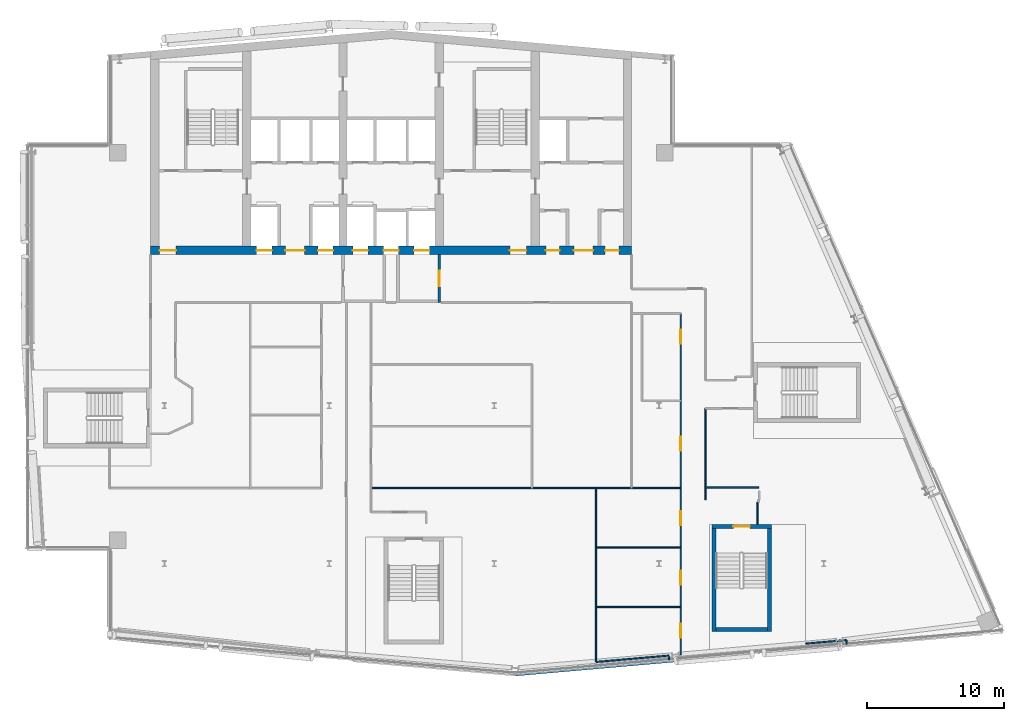
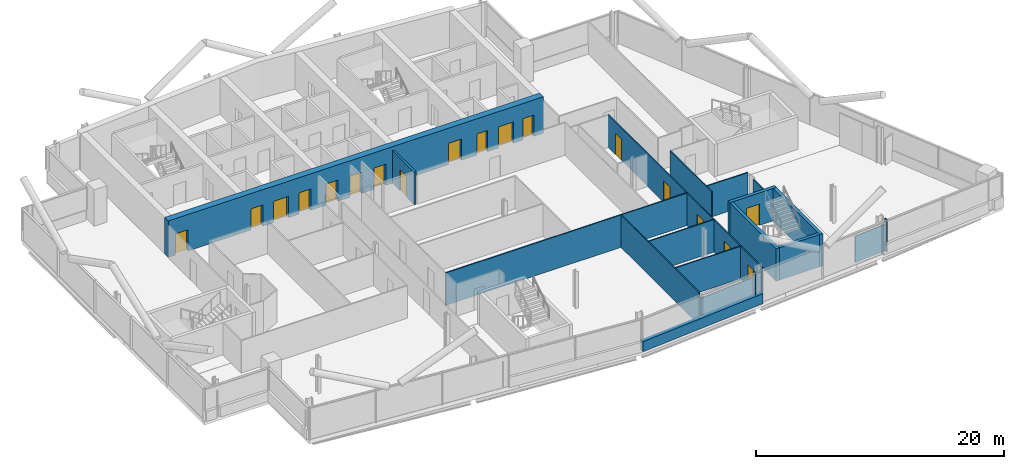
# One storey, part 16 of 27: 19 walls, 18 doors, 18 openings.
"""IFC4 building model written with IfcOpenShell, lengths in metres."""

from ifc_helpers import new_model, si_unit, direction, frame, frame_2d, origin, place, context, subcontext, project, spatial, rectangle, extrude, material, layer, layer_set, type_object, element, fill, save


model = new_model("IFC4")

# Units and contexts
model_context = context("Model", 3, precision=1e-05, world=origin(), true_north=direction((0.0, 1.0)))
body_context = subcontext(model_context, "Body", "Model", "MODEL_VIEW")
ifc_project = project(units=[si_unit("LENGTHUNIT", "METRE"), si_unit("AREAUNIT", "SQUARE_METRE"), si_unit("VOLUMEUNIT", "CUBIC_METRE"), si_unit("PLANEANGLEUNIT", "RADIAN"), si_unit("MASSUNIT", "GRAM", prefix="KILO")], contexts=[model_context])

# Site, building, storey
site_placement = place(None, origin())
site = spatial("IfcSite", under=ifc_project, at=site_placement, CompositionType="ELEMENT")
building_placement = place(site_placement, origin())
building = spatial("IfcBuilding", under=site, at=building_placement, Name="Wharfspan Tower", CompositionType="ELEMENT")
storey_placement = place(building_placement, frame((0.0, 0.0, 221.5)))
storey = spatial("IfcBuildingStorey", under=building, at=storey_placement, Name="L55", CompositionType="ELEMENT", Elevation=221.5)

# Walls
ifc_material_1 = material(Name="Gypsum board on steel studs", Category="steel")
ifc_layer_1 = layer(ifc_material_1, 0.100098)
ifc_layer_set_1 = layer_set([ifc_layer_1], Name="Gypsum board on steel studs")
wall_type_1 = type_object("IfcWallType", Name="Compartment wall 100 EI 60", PredefinedType="PARTITIONING", material=ifc_layer_set_1)
wall_1_placement = place(storey_placement, frame((39.040039, 17.0, 0.0), z_axis=(0.0, 0.0, 1.0), x_axis=(1.0, 0.0, 0.0)))
element("IfcWall", 1, at=wall_1_placement, inside=storey, type_object=wall_type_1, Name="Partition L55.w022", PredefinedType="PARTITIONING", context=body_context, shape_type="SweptSolid", body=[
    extrude(rectangle(XDim=22.540039, YDim=0.100098, at=frame_2d((11.27002, 0.0))), origin(), (0.0, 0.0, 1.0), 3.199951),
])
for number, where, z_axis, x_axis, name in (
    (2, (55.419922, 8.340088, 0.0), (0.0, 0.0, 1.0), (1.0, 0.0, 0.0), "Partition L55.w030"),
    (3, (55.419922, 12.669922, 0.0), (0.0, 0.0, 1.0), (1.0, 0.0, 0.0), "Partition L55.w031"),
):
    element("IfcWall", number, at=place(storey_placement, frame(where, z_axis=z_axis, x_axis=x_axis)), inside=storey, type_object=wall_type_1, Name=name, PredefinedType="PARTITIONING", context=body_context, shape_type="SweptSolid", body=[
        extrude(rectangle(XDim=6.160156, YDim=0.100098, at=frame_2d((3.080078, 0.0))), origin(), (0.0, 0.0, 1.0), 3.199951),
    ])

# Wall, openings, doors
wall_2_placement = place(storey_placement, frame((61.580078, 4.879883, 0.0), z_axis=(0.0, 0.0, 1.0), x_axis=(0.0, 1.0, 0.0)))
wall_2 = element("IfcWall", 4, at=wall_2_placement, inside=storey, type_object=wall_type_1, Name="Partition L55.w040", PredefinedType="PARTITIONING", context=body_context, shape_type="SweptSolid", body=[
    extrude(rectangle(XDim=24.820068, YDim=0.100098, at=frame_2d((12.410156, 0.0))), origin(), (0.0, 0.0, 1.0), 3.199951),
])
opening_1_placement = place(wall_2_placement, frame((1.23999, 0.0, 0.0)))
opening_1 = element("IfcOpeningElement", 5, at=opening_1_placement, cuts=wall_2, Name="Opening D3-01", PredefinedType="OPENING", context=body_context, shape_type="SweptSolid", body=[
    extrude(rectangle(XDim=1.0, YDim=2.100098, at=frame_2d((0.5, 1.050049))), frame((0.0, 0.060059, 0.0), z_axis=(0.0, -1.0, 0.0), x_axis=(1.0, 0.0, 0.0)), (0.0, 0.0, 1.0), 0.120117),
])
opening_2_placement = place(wall_2_placement, frame((5.090088, 0.0, 0.0)))
opening_2 = element("IfcOpeningElement", 6, at=opening_2_placement, cuts=wall_2, Name="Opening D3-02", PredefinedType="OPENING", context=body_context, shape_type="SweptSolid", body=[
    extrude(rectangle(XDim=1.0, YDim=2.100098, at=frame_2d((0.5, 1.050049))), frame((0.0, 0.060059, 0.0), z_axis=(0.0, -1.0, 0.0), x_axis=(1.0, 0.0, 0.0)), (0.0, 0.0, 1.0), 0.120117),
])
opening_3_placement = place(wall_2_placement, frame((9.415039, 0.0, 0.0)))
opening_3 = element("IfcOpeningElement", 7, at=opening_3_placement, cuts=wall_2, Name="Opening D3-03", PredefinedType="OPENING", context=body_context, shape_type="SweptSolid", body=[
    extrude(rectangle(XDim=1.0, YDim=2.100098, at=frame_2d((0.5, 1.050049))), frame((0.0, 0.060059, 0.0), z_axis=(0.0, -1.0, 0.0), x_axis=(1.0, 0.0, 0.0)), (0.0, 0.0, 1.0), 0.120117),
])
opening_4_placement = place(wall_2_placement, frame((14.850098, 0.0, 0.0)))
opening_4 = element("IfcOpeningElement", 8, at=opening_4_placement, cuts=wall_2, Name="Opening D3-08", PredefinedType="OPENING", context=body_context, shape_type="SweptSolid", body=[
    extrude(rectangle(XDim=1.0, YDim=2.100098, at=frame_2d((0.5, 1.050049))), frame((0.0, 0.060059, 0.0), z_axis=(0.0, -1.0, 0.0), x_axis=(1.0, 0.0, 0.0)), (0.0, 0.0, 1.0), 0.120117),
])
opening_5_placement = place(wall_2_placement, frame((22.629883, 0.0, 0.0)))
opening_5 = element("IfcOpeningElement", 9, at=opening_5_placement, cuts=wall_2, Name="Opening D3-13", PredefinedType="OPENING", context=body_context, shape_type="SweptSolid", body=[
    extrude(rectangle(XDim=1.0, YDim=2.100098, at=frame_2d((0.5, 1.050049))), frame((0.0, 0.060059, 0.0), z_axis=(0.0, -1.0, 0.0), x_axis=(1.0, 0.0, 0.0)), (0.0, 0.0, 1.0), 0.120117),
])
ifc_material_2 = material(Name="Fire-rated timber door leaf in steel frame", Category="steel")
door_type_1 = type_object("IfcDoorType", Name="Door 1000 FD30S Left", OperationType="SINGLE_SWING_LEFT", PredefinedType="DOOR", material=ifc_material_2)
door_1_placement = place(opening_1_placement, origin())
door_1 = element("IfcDoor", 10, at=door_1_placement, inside=storey, type_object=door_type_1, Name="Door D3-01", OperationType="SINGLE_SWING_LEFT", OverallHeight=2.100098, OverallWidth=1.0, PredefinedType="DOOR", context=body_context, shape_type="SweptSolid", body=[
    extrude(rectangle(XDim=1.0, YDim=2.100098, at=frame_2d((0.5, 1.050049))), frame((0.0, 0.024902, 0.0), z_axis=(0.0, -1.0, 0.0), x_axis=(1.0, 0.0, 0.0)), (0.0, 0.0, 1.0), 0.050049),
])
fill(opening_1, door_1)
door_2_placement = place(opening_2_placement, origin())
door_2 = element("IfcDoor", 11, at=door_2_placement, inside=storey, type_object=door_type_1, Name="Door D3-02", OperationType="SINGLE_SWING_LEFT", OverallHeight=2.100098, OverallWidth=1.0, PredefinedType="DOOR", context=body_context, shape_type="SweptSolid", body=[
    extrude(rectangle(XDim=1.0, YDim=2.100098, at=frame_2d((0.5, 1.050049))), frame((0.0, 0.024902, 0.0), z_axis=(0.0, -1.0, 0.0), x_axis=(1.0, 0.0, 0.0)), (0.0, 0.0, 1.0), 0.050049),
])
fill(opening_2, door_2)
door_3_placement = place(opening_3_placement, origin())
door_3 = element("IfcDoor", 12, at=door_3_placement, inside=storey, type_object=door_type_1, Name="Door D3-03", OperationType="SINGLE_SWING_LEFT", OverallHeight=2.100098, OverallWidth=1.0, PredefinedType="DOOR", context=body_context, shape_type="SweptSolid", body=[
    extrude(rectangle(XDim=1.0, YDim=2.100098, at=frame_2d((0.5, 1.050049))), frame((0.0, 0.024902, 0.0), z_axis=(0.0, -1.0, 0.0), x_axis=(1.0, 0.0, 0.0)), (0.0, 0.0, 1.0), 0.050049),
])
fill(opening_3, door_3)
door_type_2 = type_object("IfcDoorType", Name="Door 1000 FD30S Right", OperationType="SINGLE_SWING_RIGHT", PredefinedType="DOOR", material=ifc_material_2)
door_4_placement = place(opening_4_placement, origin())
door_4 = element("IfcDoor", 13, at=door_4_placement, inside=storey, type_object=door_type_2, Name="Door D3-08", OperationType="SINGLE_SWING_RIGHT", OverallHeight=2.100098, OverallWidth=1.0, PredefinedType="DOOR", context=body_context, shape_type="SweptSolid", body=[
    extrude(rectangle(XDim=1.0, YDim=2.100098, at=frame_2d((0.5, 1.050049))), frame((0.0, 0.024902, 0.0), z_axis=(0.0, -1.0, 0.0), x_axis=(1.0, 0.0, 0.0)), (0.0, 0.0, 1.0), 0.050049),
])
fill(opening_4, door_4)
door_5_placement = place(opening_5_placement, origin())
door_5 = element("IfcDoor", 14, at=door_5_placement, inside=storey, type_object=door_type_2, Name="Door D3-13", OperationType="SINGLE_SWING_RIGHT", OverallHeight=2.100098, OverallWidth=1.0, PredefinedType="DOOR", context=body_context, shape_type="SweptSolid", body=[
    extrude(rectangle(XDim=1.0, YDim=2.100098, at=frame_2d((0.5, 1.050049))), frame((0.0, 0.024902, 0.0), z_axis=(0.0, -1.0, 0.0), x_axis=(1.0, 0.0, 0.0)), (0.0, 0.0, 1.0), 0.050049),
])
fill(opening_5, door_5)

# Walls
wall_3_placement = place(storey_placement, frame((63.379883, 16.14502, 0.0), z_axis=(0.0, 0.0, 1.0), x_axis=(0.0, 1.0, 0.0)))
element("IfcWall", 15, at=wall_3_placement, inside=storey, type_object=wall_type_1, Name="Partition L55.w041", PredefinedType="PARTITIONING", context=body_context, shape_type="SweptSolid", body=[
    extrude(rectangle(XDim=6.655029, YDim=0.100098, at=frame_2d((3.327637, 0.0))), origin(), (0.0, 0.0, 1.0), 3.199951),
])
wall_4_placement = place(storey_placement, frame((63.389893, 17.044922, 0.0), z_axis=(0.0, 0.0, 1.0), x_axis=(1.0, 0.0, 0.0)))
element("IfcWall", 16, at=wall_4_placement, inside=storey, type_object=wall_type_1, Name="Partition L55.w046", PredefinedType="PARTITIONING", context=body_context, shape_type="SweptSolid", body=[
    extrude(rectangle(XDim=3.860107, YDim=0.100098, at=frame_2d((1.930176, 0.0))), origin(), (0.0, 0.0, 1.0), 3.199951),
])
wall_5_placement = place(storey_placement, frame((67.169922, 14.366211, 0.0), z_axis=(0.0, 0.0, 1.0), x_axis=(0.0, 1.0, 0.0)))
element("IfcWall", 17, at=wall_5_placement, inside=storey, type_object=wall_type_1, Name="Partition L55.w050", PredefinedType="PARTITIONING", context=body_context, shape_type="SweptSolid", body=[
    extrude(rectangle(XDim=1.588867, YDim=0.100098, at=frame_2d((0.794434, 0.0))), origin(), (0.0, 0.0, 1.0), 3.199951),
])

# Wall, openings, doors
ifc_material_3 = material(Name="Concrete C50/60", Category="concrete")
ifc_layer_2 = layer(ifc_material_3, 0.600098)
ifc_layer_set_2 = layer_set([ifc_layer_2], Name="Concrete C50/60")
wall_type_2 = type_object("IfcWallType", Name="Core wall 600 C50/60", PredefinedType="SHEAR", material=ifc_layer_set_2)
wall_6_placement = place(storey_placement, frame((23.0, 34.300049, 0.0), z_axis=(0.0, 0.0, 1.0), x_axis=(1.0, 0.0, 0.0)))
wall_6 = element("IfcWall", 18, at=wall_6_placement, inside=storey, type_object=wall_type_2, Name="Core front wall L55", PredefinedType="SHEAR", context=body_context, shape_type="SweptSolid", body=[
    extrude(rectangle(XDim=35.0, YDim=0.600098, at=frame_2d((17.5, 0.0))), origin(), (0.0, 0.0, 1.0), 3.600098),
])
opening_6_placement = place(wall_6_placement, frame((0.649902, 0.0, 0.0)))
opening_6 = element("IfcOpeningElement", 19, at=opening_6_placement, cuts=wall_6, Name="Opening SV2.L55", PredefinedType="OPENING", context=body_context, shape_type="SweptSolid", body=[
    extrude(rectangle(XDim=1.199951, YDim=2.100098, at=frame_2d((0.600098, 1.050049))), frame((0.0, 0.310059, 0.0), z_axis=(0.0, -1.0, 0.0), x_axis=(1.0, 0.0, 0.0)), (0.0, 0.0, 1.0), 0.620117),
])
opening_7_placement = place(wall_6_placement, frame((7.716797, 0.0, 0.0)))
opening_7 = element("IfcOpeningElement", 20, at=opening_7_placement, cuts=wall_6, Name="Opening LD.SL1.L55", PredefinedType="OPENING", context=body_context, shape_type="SweptSolid", body=[
    extrude(rectangle(XDim=1.100098, YDim=2.100098, at=frame_2d((0.550049, 1.050049))), frame((0.0, 0.310059, 0.0), z_axis=(0.0, -1.0, 0.0), x_axis=(1.0, 0.0, 0.0)), (0.0, 0.0, 1.0), 0.620117),
])
opening_8_placement = place(wall_6_placement, frame((12.18335, 0.0, 0.0)))
opening_8 = element("IfcOpeningElement", 21, at=opening_8_placement, cuts=wall_6, Name="Opening LD.SL2.L55", PredefinedType="OPENING", context=body_context, shape_type="SweptSolid", body=[
    extrude(rectangle(XDim=1.100098, YDim=2.100098, at=frame_2d((0.550049, 1.050049))), frame((0.0, 0.310059, 0.0), z_axis=(0.0, -1.0, 0.0), x_axis=(1.0, 0.0, 0.0)), (0.0, 0.0, 1.0), 0.620117),
])
opening_9_placement = place(wall_6_placement, frame((9.800049, 0.0, 0.0)))
opening_9 = element("IfcOpeningElement", 22, at=opening_9_placement, cuts=wall_6, Name="Opening HD55.3", PredefinedType="OPENING", context=body_context, shape_type="SweptSolid", body=[
    extrude(rectangle(XDim=1.399902, YDim=2.100098, at=frame_2d((0.699951, 1.050049))), frame((0.0, 0.310059, 0.0), z_axis=(0.0, -1.0, 0.0), x_axis=(1.0, 0.0, 0.0)), (0.0, 0.0, 1.0), 0.620117),
])
opening_10_placement = place(wall_6_placement, frame((14.716797, 0.0, 0.0)))
opening_10 = element("IfcOpeningElement", 23, at=opening_10_placement, cuts=wall_6, Name="Opening LD.FF1.L55", PredefinedType="OPENING", context=body_context, shape_type="SweptSolid", body=[
    extrude(rectangle(XDim=1.100098, YDim=2.100098, at=frame_2d((0.550049, 1.050049))), frame((0.0, 0.310059, 0.0), z_axis=(0.0, -1.0, 0.0), x_axis=(1.0, 0.0, 0.0)), (0.0, 0.0, 1.0), 0.620117),
])
opening_11_placement = place(wall_6_placement, frame((16.949951, 0.0, 0.0)))
opening_11 = element("IfcOpeningElement", 24, at=opening_11_placement, cuts=wall_6, Name="Opening LD.LB7.L55", PredefinedType="OPENING", context=body_context, shape_type="SweptSolid", body=[
    extrude(rectangle(XDim=1.100098, YDim=2.100098, at=frame_2d((0.550049, 1.050049))), frame((0.0, 0.310059, 0.0), z_axis=(0.0, -1.0, 0.0), x_axis=(1.0, 0.0, 0.0)), (0.0, 0.0, 1.0), 0.620117),
])
opening_12_placement = place(wall_6_placement, frame((19.18335, 0.0, 0.0)))
opening_12 = element("IfcOpeningElement", 25, at=opening_12_placement, cuts=wall_6, Name="Opening LD.FF2.L55", PredefinedType="OPENING", context=body_context, shape_type="SweptSolid", body=[
    extrude(rectangle(XDim=1.100098, YDim=2.100098, at=frame_2d((0.550049, 1.050049))), frame((0.0, 0.310059, 0.0), z_axis=(0.0, -1.0, 0.0), x_axis=(1.0, 0.0, 0.0)), (0.0, 0.0, 1.0), 0.620117),
])
opening_13_placement = place(wall_6_placement, frame((26.149902, 0.0, 0.0)))
opening_13 = element("IfcOpeningElement", 26, at=opening_13_placement, cuts=wall_6, Name="Opening SV5.L55", PredefinedType="OPENING", context=body_context, shape_type="SweptSolid", body=[
    extrude(rectangle(XDim=1.199951, YDim=2.100098, at=frame_2d((0.600098, 1.050049))), frame((0.0, 0.310059, 0.0), z_axis=(0.0, -1.0, 0.0), x_axis=(1.0, 0.0, 0.0)), (0.0, 0.0, 1.0), 0.620117),
])
opening_14_placement = place(wall_6_placement, frame((28.766602, 0.0, 0.0)))
opening_14 = element("IfcOpeningElement", 27, at=opening_14_placement, cuts=wall_6, Name="Opening CD55.6F1", PredefinedType="OPENING", context=body_context, shape_type="SweptSolid", body=[
    extrude(rectangle(XDim=1.0, YDim=2.100098, at=frame_2d((0.5, 1.050049))), frame((0.0, 0.310059, 0.0), z_axis=(0.0, -1.0, 0.0), x_axis=(1.0, 0.0, 0.0)), (0.0, 0.0, 1.0), 0.620117),
])
opening_15_placement = place(wall_6_placement, frame((33.083252, 0.0, 0.0)))
opening_15 = element("IfcOpeningElement", 28, at=opening_15_placement, cuts=wall_6, Name="Opening CD55.6F3", PredefinedType="OPENING", context=body_context, shape_type="SweptSolid", body=[
    extrude(rectangle(XDim=1.0, YDim=2.100098, at=frame_2d((0.5, 1.050049))), frame((0.0, 0.310059, 0.0), z_axis=(0.0, -1.0, 0.0), x_axis=(1.0, 0.0, 0.0)), (0.0, 0.0, 1.0), 0.620117),
])
opening_16_placement = place(wall_6_placement, frame((30.800049, 0.0, 0.0)))
opening_16 = element("IfcOpeningElement", 29, at=opening_16_placement, cuts=wall_6, Name="Opening HD55.6", PredefinedType="OPENING", context=body_context, shape_type="SweptSolid", body=[
    extrude(rectangle(XDim=1.399902, YDim=2.100098, at=frame_2d((0.699951, 1.050049))), frame((0.0, 0.310059, 0.0), z_axis=(0.0, -1.0, 0.0), x_axis=(1.0, 0.0, 0.0)), (0.0, 0.0, 1.0), 0.620117),
])
ifc_material_4 = material(Name="Steel door leaf", Category="steel")
door_type_3 = type_object("IfcDoorType", Name="Core room door 1000x2100", OperationType="SINGLE_SWING_LEFT", PredefinedType="DOOR", material=ifc_material_4)
door_6_placement = place(opening_14_placement, origin())
door_6 = element("IfcDoor", 30, at=door_6_placement, inside=storey, type_object=door_type_3, Name="d:L55:6:fd6.1", OperationType="SINGLE_SWING_LEFT", OverallHeight=2.100098, OverallWidth=1.0, PredefinedType="DOOR", context=body_context, shape_type="SweptSolid", body=[
    extrude(rectangle(XDim=1.0, YDim=2.100098, at=frame_2d((0.5, 1.050049))), frame((0.0, 0.024902, 0.0), z_axis=(0.0, -1.0, 0.0), x_axis=(1.0, 0.0, 0.0)), (0.0, 0.0, 1.0), 0.050049),
])
fill(opening_14, door_6)
door_7_placement = place(opening_15_placement, origin())
door_7 = element("IfcDoor", 31, at=door_7_placement, inside=storey, type_object=door_type_3, Name="d:L55:6:fd6.3", OperationType="SINGLE_SWING_LEFT", OverallHeight=2.100098, OverallWidth=1.0, PredefinedType="DOOR", context=body_context, shape_type="SweptSolid", body=[
    extrude(rectangle(XDim=1.0, YDim=2.100098, at=frame_2d((0.5, 1.050049))), frame((0.0, 0.024902, 0.0), z_axis=(0.0, -1.0, 0.0), x_axis=(1.0, 0.0, 0.0)), (0.0, 0.0, 1.0), 0.050049),
])
fill(opening_15, door_7)
door_type_4 = type_object("IfcDoorType", Name="Hall entry door 1400x2100", OperationType="DOUBLE_DOOR_SINGLE_SWING", PredefinedType="DOOR", material=ifc_material_4)
door_8_placement = place(opening_9_placement, origin())
door_8 = element("IfcDoor", 32, at=door_8_placement, inside=storey, type_object=door_type_4, Name="d:L55:3:hd3", OperationType="DOUBLE_DOOR_SINGLE_SWING", OverallHeight=2.100098, OverallWidth=1.399902, PredefinedType="DOOR", context=body_context, shape_type="SweptSolid", body=[
    extrude(rectangle(XDim=1.399902, YDim=2.100098, at=frame_2d((0.699951, 1.050049))), frame((0.0, 0.024902, 0.0), z_axis=(0.0, -1.0, 0.0), x_axis=(1.0, 0.0, 0.0)), (0.0, 0.0, 1.0), 0.050049),
])
fill(opening_9, door_8)
door_9_placement = place(opening_16_placement, origin())
door_9 = element("IfcDoor", 33, at=door_9_placement, inside=storey, type_object=door_type_4, Name="d:L55:6:hd6", OperationType="DOUBLE_DOOR_SINGLE_SWING", OverallHeight=2.100098, OverallWidth=1.399902, PredefinedType="DOOR", context=body_context, shape_type="SweptSolid", body=[
    extrude(rectangle(XDim=1.399902, YDim=2.100098, at=frame_2d((0.699951, 1.050049))), frame((0.0, 0.024902, 0.0), z_axis=(0.0, -1.0, 0.0), x_axis=(1.0, 0.0, 0.0)), (0.0, 0.0, 1.0), 0.050049),
])
fill(opening_16, door_9)
ifc_material_5 = material(Name="Stainless steel", Category="steel")
door_type_5 = type_object("IfcDoorType", Name="Lift landing door 1100x2100", OperationType="DOUBLE_DOOR_SLIDING", PredefinedType="DOOR", material=ifc_material_5)
door_10_placement = place(opening_7_placement, origin())
door_10 = element("IfcDoor", 34, at=door_10_placement, inside=storey, type_object=door_type_5, Name="Landing door SL1 L55", OperationType="DOUBLE_DOOR_SLIDING", OverallHeight=2.100098, OverallWidth=1.100098, PredefinedType="DOOR", context=body_context, shape_type="SweptSolid", body=[
    extrude(rectangle(XDim=1.100098, YDim=2.100098, at=frame_2d((0.550049, 1.050049))), frame((0.0, 0.024902, 0.0), z_axis=(0.0, -1.0, 0.0), x_axis=(1.0, 0.0, 0.0)), (0.0, 0.0, 1.0), 0.050049),
])
fill(opening_7, door_10)
door_11_placement = place(opening_8_placement, origin())
door_11 = element("IfcDoor", 35, at=door_11_placement, inside=storey, type_object=door_type_5, Name="Landing door SL2 L55", OperationType="DOUBLE_DOOR_SLIDING", OverallHeight=2.100098, OverallWidth=1.100098, PredefinedType="DOOR", context=body_context, shape_type="SweptSolid", body=[
    extrude(rectangle(XDim=1.100098, YDim=2.100098, at=frame_2d((0.550049, 1.050049))), frame((0.0, 0.024902, 0.0), z_axis=(0.0, -1.0, 0.0), x_axis=(1.0, 0.0, 0.0)), (0.0, 0.0, 1.0), 0.050049),
])
fill(opening_8, door_11)
door_12_placement = place(opening_10_placement, origin())
door_12 = element("IfcDoor", 36, at=door_12_placement, inside=storey, type_object=door_type_5, Name="Landing door FF1 L55", OperationType="DOUBLE_DOOR_SLIDING", OverallHeight=2.100098, OverallWidth=1.100098, PredefinedType="DOOR", context=body_context, shape_type="SweptSolid", body=[
    extrude(rectangle(XDim=1.100098, YDim=2.100098, at=frame_2d((0.550049, 1.050049))), frame((0.0, 0.024902, 0.0), z_axis=(0.0, -1.0, 0.0), x_axis=(1.0, 0.0, 0.0)), (0.0, 0.0, 1.0), 0.050049),
])
fill(opening_10, door_12)
door_13_placement = place(opening_11_placement, origin())
door_13 = element("IfcDoor", 37, at=door_13_placement, inside=storey, type_object=door_type_5, Name="Landing door LB7 L55", OperationType="DOUBLE_DOOR_SLIDING", OverallHeight=2.100098, OverallWidth=1.100098, PredefinedType="DOOR", context=body_context, shape_type="SweptSolid", body=[
    extrude(rectangle(XDim=1.100098, YDim=2.100098, at=frame_2d((0.550049, 1.050049))), frame((0.0, 0.024902, 0.0), z_axis=(0.0, -1.0, 0.0), x_axis=(1.0, 0.0, 0.0)), (0.0, 0.0, 1.0), 0.050049),
])
fill(opening_11, door_13)
door_14_placement = place(opening_12_placement, origin())
door_14 = element("IfcDoor", 38, at=door_14_placement, inside=storey, type_object=door_type_5, Name="Landing door FF2 L55", OperationType="DOUBLE_DOOR_SLIDING", OverallHeight=2.100098, OverallWidth=1.100098, PredefinedType="DOOR", context=body_context, shape_type="SweptSolid", body=[
    extrude(rectangle(XDim=1.100098, YDim=2.100098, at=frame_2d((0.550049, 1.050049))), frame((0.0, 0.024902, 0.0), z_axis=(0.0, -1.0, 0.0), x_axis=(1.0, 0.0, 0.0)), (0.0, 0.0, 1.0), 0.050049),
])
fill(opening_12, door_14)
door_type_6 = type_object("IfcDoorType", Name="Stair door 1200x2100", OperationType="SINGLE_SWING_LEFT", PredefinedType="DOOR", material=ifc_material_4)
door_15_placement = place(opening_6_placement, origin())
door_15 = element("IfcDoor", 39, at=door_15_placement, inside=storey, type_object=door_type_6, Name="vd:L55:2", OperationType="SINGLE_SWING_LEFT", OverallHeight=2.100098, OverallWidth=1.199951, PredefinedType="DOOR", context=body_context, shape_type="SweptSolid", body=[
    extrude(rectangle(XDim=1.199951, YDim=2.100098, at=frame_2d((0.600098, 1.050049))), frame((0.0, 0.024902, 0.0), z_axis=(0.0, -1.0, 0.0), x_axis=(1.0, 0.0, 0.0)), (0.0, 0.0, 1.0), 0.050049),
])
fill(opening_6, door_15)
door_16_placement = place(opening_13_placement, origin())
door_16 = element("IfcDoor", 40, at=door_16_placement, inside=storey, type_object=door_type_6, Name="vd:L55:5", OperationType="SINGLE_SWING_LEFT", OverallHeight=2.100098, OverallWidth=1.199951, PredefinedType="DOOR", context=body_context, shape_type="SweptSolid", body=[
    extrude(rectangle(XDim=1.199951, YDim=2.100098, at=frame_2d((0.600098, 1.050049))), frame((0.0, 0.024902, 0.0), z_axis=(0.0, -1.0, 0.0), x_axis=(1.0, 0.0, 0.0)), (0.0, 0.0, 1.0), 0.050049),
])
fill(opening_13, door_16)

# Wall, opening, door
ifc_material_6 = material(Name="Concrete C30/37", Category="concrete")
ifc_layer_3 = layer(ifc_material_6, 0.199951)
ifc_layer_set_3 = layer_set([ifc_layer_3], Name="Concrete C30/37")
wall_type_3 = type_object("IfcWallType", Name="Lobby wall 200", PredefinedType="PARTITIONING", material=ifc_layer_set_3)
wall_7_placement = place(storey_placement, frame((44.0, 30.5, 0.0), z_axis=(0.0, 0.0, 1.0), x_axis=(0.0, 1.0, 0.0)))
wall_7 = element("IfcWall", 41, at=wall_7_placement, inside=storey, type_object=wall_type_3, Name="sw:L55:FLFF2E", PredefinedType="PARTITIONING", context=body_context, shape_type="SweptSolid", body=[
    extrude(rectangle(XDim=3.5, YDim=0.199951, at=frame_2d((1.75, 0.0))), origin(), (0.0, 0.0, 1.0), 3.199951),
])
opening_17_placement = place(wall_7_placement, frame((1.199951, 0.0, 0.0)))
opening_17 = element("IfcOpeningElement", 42, at=opening_17_placement, cuts=wall_7, Name="Opening FL.FF2.L55", PredefinedType="OPENING", context=body_context, shape_type="SweptSolid", body=[
    extrude(rectangle(XDim=1.100098, YDim=2.100098, at=frame_2d((0.550049, 1.050049))), frame((0.0, 0.109863, 0.0), z_axis=(0.0, -1.0, 0.0), x_axis=(1.0, 0.0, 0.0)), (0.0, 0.0, 1.0), 0.219971),
])
door_type_7 = type_object("IfcDoorType", Name="Firefighting lobby door 1100x2100", OperationType="SINGLE_SWING_LEFT", PredefinedType="DOOR", material=ifc_material_4)
door_17_placement = place(opening_17_placement, origin())
door_17 = element("IfcDoor", 43, at=door_17_placement, inside=storey, type_object=door_type_7, Name="fd:L55:FF2", OperationType="SINGLE_SWING_LEFT", OverallHeight=2.100098, OverallWidth=1.100098, PredefinedType="DOOR", context=body_context, shape_type="SweptSolid", body=[
    extrude(rectangle(XDim=1.100098, YDim=2.100098, at=frame_2d((0.550049, 1.050049))), frame((0.0, 0.024902, 0.0), z_axis=(0.0, -1.0, 0.0), x_axis=(1.0, 0.0, 0.0)), (0.0, 0.0, 1.0), 0.050049),
])
fill(opening_17, door_17)

# Walls
ifc_layer_4 = layer(ifc_material_1, 0.100098)
ifc_layer_set_4 = layer_set([ifc_layer_4], Name="Gypsum board on steel studs")
wall_type_4 = type_object("IfcWallType", Name="Partition 100", PredefinedType="PARTITIONING", material=ifc_layer_set_4)
wall_8_placement = place(storey_placement, frame((55.415039, 4.340088, 0.0), z_axis=(0.0, 0.0, 1.0), x_axis=(0.996159, 0.087534, 0.0)))
element("IfcWall", 44, at=wall_8_placement, inside=storey, type_object=wall_type_4, Name="Partition L55.w028", PredefinedType="PARTITIONING", context=body_context, shape_type="SweptSolid", body=[
    extrude(rectangle(XDim=5.310303, YDim=0.100098, at=frame_2d((2.655273, 0.0))), origin(), (0.0, 0.0, 1.0), 2.580078),
])
wall_9_placement = place(storey_placement, frame((55.415039, 4.344971, 0.0), z_axis=(0.0, 0.0, 1.0), x_axis=(0.0, 1.0, 0.0)))
element("IfcWall", 45, at=wall_9_placement, inside=storey, type_object=wall_type_4, Name="Partition L55.w029", PredefinedType="PARTITIONING", context=body_context, shape_type="SweptSolid", body=[
    extrude(rectangle(XDim=12.650146, YDim=0.100098, at=frame_2d((6.325195, 0.0))), origin(), (0.0, 0.0, 1.0), 3.199951),
])
wall_10_placement = place(storey_placement, frame((60.73291, 4.49707, 0.0), z_axis=(0.0, 0.0, 1.0), x_axis=(-0.090037, 0.995936, 0.0)))
element("IfcWall", 46, at=wall_10_placement, inside=storey, type_object=wall_type_4, Name="Partition L55.w039", PredefinedType="PARTITIONING", context=body_context, shape_type="SweptSolid", body=[
    extrude(rectangle(XDim=0.309082, YDim=0.100098, at=frame_2d((0.154541, 0.0))), origin(), (0.0, 0.0, 1.0), 3.199951),
])
wall_11_placement = place(storey_placement, frame((70.688721, 5.676514, 0.0), z_axis=(0.0, 0.0, 1.0), x_axis=(0.996174, 0.087417, 0.0)))
element("IfcWall", 47, at=wall_11_placement, inside=storey, type_object=wall_type_4, Name="Partition L55.w053", PredefinedType="PARTITIONING", context=body_context, shape_type="SweptSolid", body=[
    extrude(rectangle(XDim=2.95752, YDim=0.100098, at=frame_2d((1.47876, 0.0))), origin(), (0.0, 0.0, 1.0), 2.580078),
])
wall_12_placement = place(storey_placement, frame((73.66333, 5.628174, 0.0), z_axis=(0.0, 0.0, 1.0), x_axis=(-0.091893, 0.995772, 0.0)))
element("IfcWall", 48, at=wall_12_placement, inside=storey, type_object=wall_type_4, Name="Partition L55.w054", PredefinedType="PARTITIONING", context=body_context, shape_type="SweptSolid", body=[
    extrude(rectangle(XDim=0.308105, YDim=0.100098, at=frame_2d((0.154053, 0.0))), origin(), (0.0, 0.0, 1.0), 3.199951),
])
ifc_material_7 = material(Name="Concrete C40/50", Category="concrete")
ifc_layer_5 = layer(ifc_material_7, 0.350098)
ifc_layer_set_5 = layer_set([ifc_layer_5], Name="Concrete C40/50")
wall_type_5 = type_object("IfcWallType", Name="SPANDREL EXPOSED CONCRETE 350", PredefinedType="SOLIDWALL", material=ifc_layer_set_5)
wall_13_placement = place(storey_placement, frame((49.54541, 3.493164, 0.0), z_axis=(0.0, 0.0, 1.0), x_axis=(0.996196, 0.087141, 0.0)))
element("IfcWall", 49, at=wall_13_placement, inside=storey, type_object=wall_type_5, Name="Spandrel upstand L55 S2 1", PredefinedType="SOLIDWALL", context=body_context, shape_type="SweptSolid", body=[
    extrude(rectangle(XDim=11.803467, YDim=0.350098, at=frame_2d((5.901855, 0.0))), origin(), (0.0, 0.0, 1.0), 1.0),
])

# Wall, opening, door
ifc_layer_6 = layer(ifc_material_7, 0.300049)
ifc_layer_set_6 = layer_set([ifc_layer_6], Name="Concrete C40/50")
wall_type_6 = type_object("IfcWallType", Name="Stair core wall 300", PredefinedType="SHEAR", material=ifc_layer_set_6)
wall_14_placement = place(storey_placement, frame((63.84375, 14.196289, 0.0), z_axis=(0.0, 0.0, 1.0), x_axis=(1.0, 0.0, 0.0)))
wall_14 = element("IfcWall", 50, at=wall_14_placement, inside=storey, type_object=wall_type_6, Name="ST5 stair enclosure wall L55", PredefinedType="SHEAR", context=body_context, shape_type="SweptSolid", body=[
    extrude(rectangle(XDim=4.350098, YDim=0.300049, at=frame_2d((2.175049, 0.0))), origin(), (0.0, 0.0, 1.0), 3.199951),
])
opening_18_placement = place(wall_14_placement, frame((1.574951, 0.0, 0.0)))
opening_18 = element("IfcOpeningElement", 51, at=opening_18_placement, cuts=wall_14, Name="Opening SD5.L55", PredefinedType="OPENING", context=body_context, shape_type="SweptSolid", body=[
    extrude(rectangle(XDim=1.199951, YDim=2.100098, at=frame_2d((0.600098, 1.050049))), frame((0.0, 0.159912, 0.0), z_axis=(0.0, -1.0, 0.0), x_axis=(1.0, 0.0, 0.0)), (0.0, 0.0, 1.0), 0.320068),
])
door_18_placement = place(opening_18_placement, origin())
door_18 = element("IfcDoor", 52, at=door_18_placement, inside=storey, type_object=door_type_6, Name="sd:L55:ST5z4", OperationType="SINGLE_SWING_RIGHT", OverallHeight=2.100098, OverallWidth=1.199951, PredefinedType="DOOR", context=body_context, shape_type="SweptSolid", body=[
    extrude(rectangle(XDim=1.199951, YDim=2.100098, at=frame_2d((0.600098, 1.050049))), frame((0.0, 0.024902, 0.0), z_axis=(0.0, -1.0, 0.0), x_axis=(1.0, 0.0, 0.0)), (0.0, 0.0, 1.0), 0.050049),
])
fill(opening_18, door_18)

# Walls
for number, where, z_axis, x_axis, name in (
    (53, (63.993896, 6.546143, 0.0), (0.0, 0.0, 1.0), (0.0, 1.0, 0.0), "ST5 stair enclosure wall L55"),
    (54, (68.043701, 6.546143, 0.0), (0.0, 0.0, 1.0), (0.0, 1.0, 0.0), "ST5 stair enclosure wall L55"),
):
    element("IfcWall", number, at=place(storey_placement, frame(where, z_axis=z_axis, x_axis=x_axis)), inside=storey, type_object=wall_type_6, Name=name, PredefinedType="SHEAR", context=body_context, shape_type="SweptSolid", body=[
        extrude(rectangle(XDim=7.5, YDim=0.300049, at=frame_2d((3.75, 0.0))), origin(), (0.0, 0.0, 1.0), 3.199951),
    ])
wall_15_placement = place(storey_placement, frame((64.143799, 6.696289, 0.0), z_axis=(0.0, 0.0, 1.0), x_axis=(1.0, 0.0, 0.0)))
element("IfcWall", 55, at=wall_15_placement, inside=storey, type_object=wall_type_6, Name="ST5 stair enclosure wall L55", PredefinedType="SHEAR", context=body_context, shape_type="SweptSolid", body=[
    extrude(rectangle(XDim=3.75, YDim=0.300049, at=frame_2d((1.875, 0.0))), origin(), (0.0, 0.0, 1.0), 3.199951),
])

save(model, "model.ifc")
